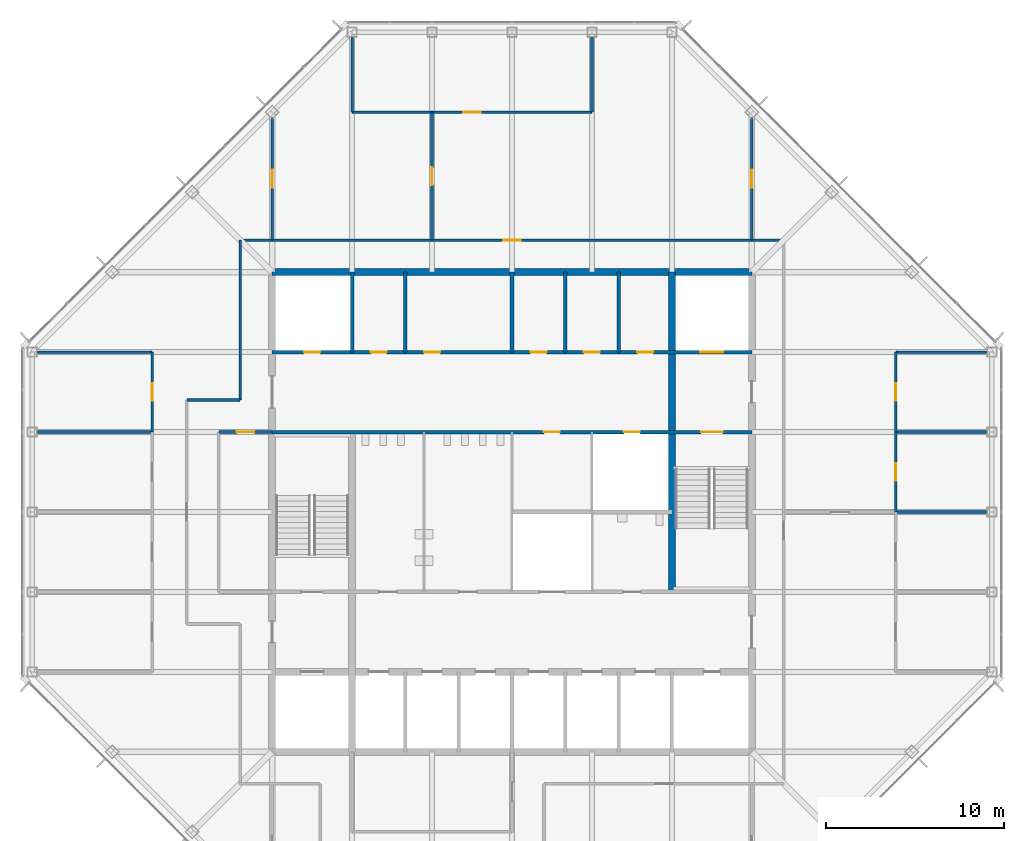
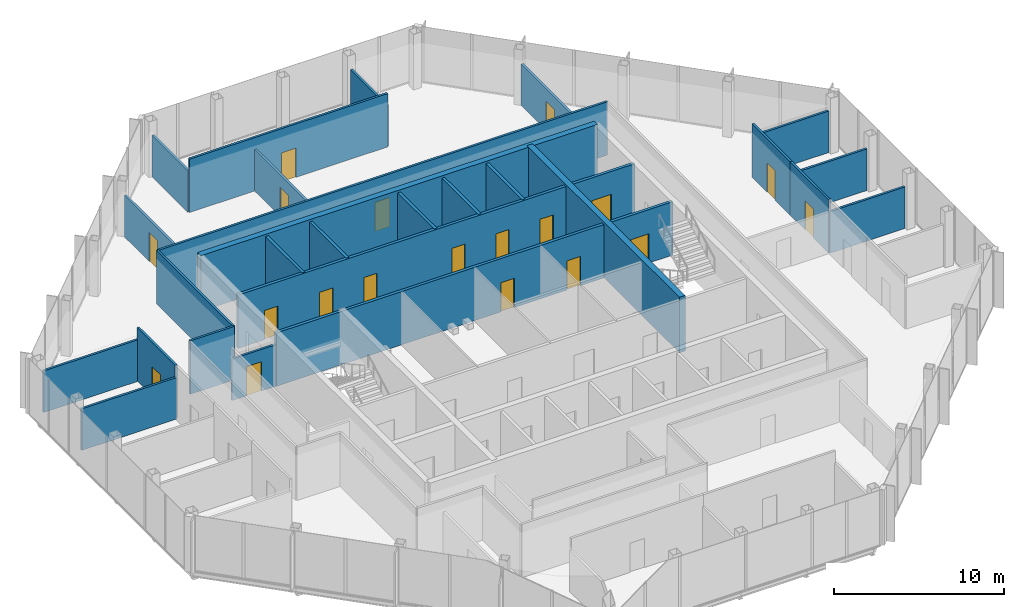
# One storey, part 11 of 14: 27 walls, 19 doors, 19 openings.
"""IFC4 building model written with IfcOpenShell, lengths in metres."""

import ifcopenshell
import ifcopenshell.guid

model = None  # the IFC model being written
_history = None  # IfcOwnerHistory: only IFC2X3 demands one
_inside = {}  # id of a spatial element -> (the spatial element, [elements in it])
_under = {}  # id of a project, library or spatial element -> (it, [spatial elements below it])
_declared = {}  # id of a project -> (the project, [libraries it declares])
_typed = {}  # id of a type object -> (the type object, [elements of that type])
_made_of = {}  # id of a material, layer set ... -> (it, [elements and type objects made of it])


def new_model(schema):
    """Start an empty IFC model of exactly this schema.

    Asked for "IFC4X3", IfcOpenShell would pick the latest addendum, in which some entities
    have other attributes; the version numbers below select the first issue.
    IFC2X3 requires an IfcOwnerHistory on every rooted entity: one is made here for all.
    """
    global model, _history
    if schema == "IFC4X3":
        model = ifcopenshell.file(schema_version=(4, 3, 0, 0))
    else:
        model = ifcopenshell.file(schema=schema)
    _inside.clear()
    _under.clear()
    _declared.clear()
    _typed.clear()
    _made_of.clear()
    _history = None
    if model.schema == "IFC2X3":
        org = make("IfcOrganization", Name="unknown")
        user = make(
            "IfcPersonAndOrganization",
            ThePerson=make("IfcPerson", FamilyName="unknown"),
            TheOrganization=org,
        )
        app = make(
            "IfcApplication",
            ApplicationDeveloper=org,
            Version="unknown",
            ApplicationFullName="unknown",
            ApplicationIdentifier="unknown",
        )
        _history = make(
            "IfcOwnerHistory",
            OwningUser=user,
            OwningApplication=app,
            ChangeAction="ADDED",
            CreationDate=0,
        )
    return model


def make(cls, **values):
    """One entity of the class cls with the attributes given. An attribute that is None is left unset."""
    return model.create_entity(
        cls, **{name: value for name, value in values.items() if value is not None}
    )


def rooted(cls, **values):
    """An entity with a GlobalId (a new one), such as an element, a storey or a relation."""
    return make(cls, GlobalId=ifcopenshell.guid.new(), OwnerHistory=_history, **values)


def si_unit(unit_type, name, prefix=None):
    """IfcSIUnit, for example si_unit("LENGTHUNIT", "METRE", prefix="MILLI")."""
    return make("IfcSIUnit", UnitType=unit_type, Prefix=prefix, Name=name)


def assignment(units):
    """IfcUnitAssignment: the units of a project."""
    return None if units is None else make("IfcUnitAssignment", Units=units)


def point(xyz):
    """IfcCartesianPoint."""
    return None if xyz is None else make("IfcCartesianPoint", Coordinates=xyz)


def direction(xyz):
    """IfcDirection."""
    return None if xyz is None else make("IfcDirection", DirectionRatios=xyz)


def frame(location, z_axis=None, x_axis=None):
    """IfcAxis2Placement3D, a coordinate frame: its origin and axes. An axis left out is left unset."""
    return make(
        "IfcAxis2Placement3D",
        Location=point(location),
        Axis=direction(z_axis),
        RefDirection=direction(x_axis),
    )


def frame_2d(location, x_axis=None):
    """IfcAxis2Placement2D, a coordinate frame in the plane: its origin and x axis."""
    return make(
        "IfcAxis2Placement2D", Location=point(location), RefDirection=direction(x_axis)
    )


def origin():
    """The frame at (0, 0, 0) with its axes left unset."""
    return frame((0.0, 0.0, 0.0))


def place(relative_to, where):
    """IfcLocalPlacement: puts the frame where relative to a parent placement (None: the world)."""
    return make(
        "IfcLocalPlacement", PlacementRelTo=relative_to, RelativePlacement=where
    )


def context(
    kind, dimensions, precision=None, world=None, true_north=None, identifier=None
):
    """IfcGeometricRepresentationContext, for example the 3D "Model" context."""
    return make(
        "IfcGeometricRepresentationContext",
        ContextIdentifier=identifier,
        ContextType=kind,
        CoordinateSpaceDimension=dimensions,
        Precision=precision,
        WorldCoordinateSystem=world,
        TrueNorth=true_north,
    )


def subcontext(parent, identifier, kind, view, scale=None):
    """IfcGeometricRepresentationSubContext, for example "Body" below "Model"."""
    return make(
        "IfcGeometricRepresentationSubContext",
        ContextIdentifier=identifier,
        ContextType=kind,
        ParentContext=parent,
        TargetScale=scale,
        TargetView=view,
    )


def project(units=None, contexts=None):
    """IfcProject with its units and contexts."""
    return rooted(
        "IfcProject",
        Name="project",
        RepresentationContexts=contexts,
        UnitsInContext=assignment(units),
    )


def spatial(cls, under=None, at=None, **own):
    """A site, building, storey or space (cls), placed at a placement, below another one or the project."""
    s = rooted(cls, ObjectPlacement=at, **own)
    if under is not None:
        _under.setdefault(under.id(), (under, []))[1].append(s)
    return s


def profile(cls, at=None, kind="AREA", **sizes):
    """A parametric profile (cls). Its sizes go by their IFC names, for example OverallWidth=200.0."""
    return make(cls, ProfileType=kind, Position=at, **sizes)


def rectangle(**sizes):
    """IfcRectangleProfileDef."""
    return profile("IfcRectangleProfileDef", **sizes)


def extrude(swept, where, along, depth):
    """IfcExtrudedAreaSolid: the profile swept, set in the frame where, extruded along a direction by depth."""
    return make(
        "IfcExtrudedAreaSolid",
        SweptArea=swept,
        Position=where,
        ExtrudedDirection=direction(along),
        Depth=depth,
    )


def shape(context_of_items, identifier, shape_type, items):
    """IfcShapeRepresentation: the items that make up one representation, for example the "Body"."""
    return make(
        "IfcShapeRepresentation",
        ContextOfItems=context_of_items,
        RepresentationIdentifier=identifier,
        RepresentationType=shape_type,
        Items=items,
    )


def material(Name=None, Category=None):
    """IfcMaterial."""
    return make("IfcMaterial", Name=Name, Category=Category)


def layer(
    of_material, thickness, ventilated=None, Name=None, Category=None, Priority=None
):
    """IfcMaterialLayer: one layer of a wall or slab, of a material (None: an air gap)."""
    return make(
        "IfcMaterialLayer",
        Material=of_material,
        LayerThickness=thickness,
        IsVentilated=ventilated,
        Name=Name,
        Category=Category,
        Priority=Priority,
    )


def layer_set(layers, Name=None):
    """IfcMaterialLayerSet."""
    return make("IfcMaterialLayerSet", MaterialLayers=layers, LayerSetName=Name)


def made_of(thing, what):
    """Note that an element or type object is made of a material, layer set ...; save() writes the relation."""
    if what is not None:
        _made_of.setdefault(what.id(), (what, []))[1].append(thing)
    return thing


def type_object(cls, material=None, **own):
    """A type object (cls), such as IfcWallType, which elements share."""
    return made_of(rooted(cls, **own), material)


def element(
    cls,
    number,
    at=None,
    inside=None,
    cuts=None,
    type_object=None,
    material=None,
    context=None,
    identifier="Body",
    shape_type=None,
    held_by="IfcProductDefinitionShape",
    body=None,
    shapes=None,
    **own,
):
    """One element of the class cls, such as IfcWall. Its Tag is "e" and its number.

    at: its placement. inside: the storey or other place that contains it. cuts: it is an
    opening in that element (IfcRelVoidsElement). A single representation is given by context,
    identifier, shape_type and body (its items); several are given by shapes. held_by: the class
    of the entity that holds the representations. save() writes the other relations.
    """
    e = rooted(cls, Tag="e%d" % number, ObjectPlacement=at, **own)
    if body is not None:
        shapes = [shape(context, identifier, shape_type, body)]
    if shapes is not None:
        e.Representation = make(held_by, Representations=shapes)
    if inside is not None:
        _inside.setdefault(inside.id(), (inside, []))[1].append(e)
    if cuts is not None:
        rooted(
            "IfcRelVoidsElement", RelatingBuildingElement=cuts, RelatedOpeningElement=e
        )
    if type_object is not None:
        _typed.setdefault(type_object.id(), (type_object, []))[1].append(e)
    return made_of(e, material)


def fill(opening, filler):
    """IfcRelFillsElement: the door or window that sits in an opening."""
    return rooted(
        "IfcRelFillsElement",
        RelatingOpeningElement=opening,
        RelatedBuildingElement=filler,
    )


def aggregate(whole, parts):
    """IfcRelAggregates: a whole, such as a stair, and the parts it consists of."""
    return rooted("IfcRelAggregates", RelatingObject=whole, RelatedObjects=parts)


def save(model, path):
    """Write the relations noted so far, then the file.

    IfcRelAggregates (storeys below a building ...), IfcRelContainedInSpatialStructure (elements
    in a storey), IfcRelDefinesByType, IfcRelAssociatesMaterial and IfcRelDeclares: one each for
    every whole, place, type object, material and project.
    """
    for whole, parts in _under.values():
        aggregate(whole, parts)
    for where, things in _inside.values():
        rooted(
            "IfcRelContainedInSpatialStructure",
            RelatedElements=things,
            RelatingStructure=where,
        )
    for kind, things in _typed.values():
        rooted("IfcRelDefinesByType", RelatedObjects=things, RelatingType=kind)
    for what, things in _made_of.values():
        rooted("IfcRelAssociatesMaterial", RelatedObjects=things, RelatingMaterial=what)
    for by, libraries in _declared.values():
        rooted("IfcRelDeclares", RelatingContext=by, RelatedDefinitions=libraries)
    model.write(path)


model = new_model("IFC4")

# Units and contexts
model_context = context("Model", 3, precision=1e-05, world=origin(), true_north=direction((0.0, 1.0)))
body_context = subcontext(model_context, "Body", "Model", "MODEL_VIEW")
ifc_project = project(units=[si_unit("LENGTHUNIT", "METRE"), si_unit("AREAUNIT", "SQUARE_METRE"), si_unit("VOLUMEUNIT", "CUBIC_METRE"), si_unit("PLANEANGLEUNIT", "RADIAN"), si_unit("MASSUNIT", "GRAM", prefix="KILO")], contexts=[model_context])

# Site, building, storey
site_placement = place(None, origin())
site = spatial("IfcSite", under=ifc_project, at=site_placement, CompositionType="ELEMENT")
building_placement = place(site_placement, origin())
building = spatial("IfcBuilding", under=site, at=building_placement, Name="Corais Broadcast Tower", CompositionType="ELEMENT")
storey_placement = place(building_placement, frame((0.0, 0.0, 298.60009765625)))
storey = spatial("IfcBuildingStorey", under=building, at=storey_placement, Name="L70", CompositionType="ELEMENT", Elevation=298.60009765625)

# Wall
ifc_material_1 = material(Name="Concrete blockwork class A, grouted, two-hour", Category="masonry")
ifc_layer_1 = layer(ifc_material_1, 0.199951171875)
ifc_layer_set_1 = layer_set([ifc_layer_1], Name="Concrete blockwork class A, grouted, two-hour")
wall_type_1 = type_object("IfcWallType", Name="Core lobby wall 200", PredefinedType="SOLIDWALL", material=ifc_layer_set_1)
wall_1_placement = place(storey_placement, frame((18.0, 36.0, 0.0), z_axis=(0.0, 0.0, 1.0), x_axis=(0.0, 1.0, 0.0)))
element("IfcWall", 1, at=wall_1_placement, inside=storey, type_object=wall_type_1, Name="CL3 core shaft wall X18B L70", PredefinedType="SOLIDWALL", context=body_context, shape_type="SweptSolid", body=[
    extrude(rectangle(XDim=4.5, YDim=0.199951171875, at=frame_2d((2.25, 0.0))), origin(), (0.0, 0.0, 1.0), 3.83984375),
])

# Wall, openings, doors
wall_2_placement = place(storey_placement, frame((13.5, 31.5, 0.0), z_axis=(0.0, 0.0, 1.0), x_axis=(1.0, 0.0, 0.0)))
wall_2 = element("IfcWall", 2, at=wall_2_placement, inside=storey, type_object=wall_type_1, Name="CL3 core lobby wall Y315 L70", PredefinedType="SOLIDWALL", context=body_context, shape_type="SweptSolid", body=[
    extrude(rectangle(XDim=27.0, YDim=0.199951171875, at=frame_2d((13.5, 0.0))), origin(), (0.0, 0.0, 1.0), 3.83984375),
])
opening_1_placement = place(wall_2_placement, frame((24.14990234375, 0.0, 0.0)))
opening_1 = element("IfcOpeningElement", 3, at=opening_1_placement, cuts=wall_2, Name="Opening FD1", PredefinedType="OPENING", context=body_context, shape_type="SweptSolid", body=[
    extrude(rectangle(XDim=1.199951171875, YDim=2.10009765625, at=frame_2d((0.60009765625, 1.050048828125))), frame((0.0, 0.10986328125, 0.0), z_axis=(0.0, -1.0, 0.0), x_axis=(1.0, 0.0, 0.0)), (0.0, 0.0, 1.0), 0.219970703125),
])
opening_2_placement = place(wall_2_placement, frame((15.300048828125, 0.0, 0.0)))
opening_2 = element("IfcOpeningElement", 4, at=opening_2_placement, cuts=wall_2, Name="Opening RD1", PredefinedType="OPENING", context=body_context, shape_type="SweptSolid", body=[
    extrude(rectangle(XDim=0.89990234375, YDim=2.10009765625, at=frame_2d((0.449951171875, 1.050048828125))), frame((0.0, 0.10986328125, 0.0), z_axis=(0.0, -1.0, 0.0), x_axis=(1.0, 0.0, 0.0)), (0.0, 0.0, 1.0), 0.219970703125),
])
opening_3_placement = place(wall_2_placement, frame((19.800048828125, 0.0, 0.0)))
opening_3 = element("IfcOpeningElement", 5, at=opening_3_placement, cuts=wall_2, Name="Opening RD1", PredefinedType="OPENING", context=body_context, shape_type="SweptSolid", body=[
    extrude(rectangle(XDim=0.89990234375, YDim=2.10009765625, at=frame_2d((0.449951171875, 1.050048828125))), frame((0.0, 0.10986328125, 0.0), z_axis=(0.0, -1.0, 0.0), x_axis=(1.0, 0.0, 0.0)), (0.0, 0.0, 1.0), 0.219970703125),
])
ifc_material_2 = material(Name="Steel fire door", Category="steel")
door_type_1 = type_object("IfcDoorType", Name="Fire door 1200x2100", OperationType="SINGLE_SWING_LEFT", PredefinedType="DOOR", material=ifc_material_2)
door_1_placement = place(opening_1_placement, origin())
door_1 = element("IfcDoor", 6, at=door_1_placement, inside=storey, type_object=door_type_1, Name="FD1 stair B door L70", OperationType="SINGLE_SWING_RIGHT", OverallHeight=2.10009765625, OverallWidth=1.199951171875, PredefinedType="DOOR", context=body_context, shape_type="SweptSolid", body=[
    extrude(rectangle(XDim=1.199951171875, YDim=2.10009765625, at=frame_2d((0.60009765625, 1.050048828125))), frame((0.0, 0.02490234375, 0.0), z_axis=(0.0, -1.0, 0.0), x_axis=(1.0, 0.0, 0.0)), (0.0, 0.0, 1.0), 0.050048828125),
])
fill(opening_1, door_1)
ifc_material_3 = material(Name="Steel fire door", Category="steel")
door_type_2 = type_object("IfcDoorType", Name="Riser door 900x2100", OperationType="SINGLE_SWING_LEFT", PredefinedType="DOOR", material=ifc_material_3)
door_2_placement = place(opening_2_placement, origin())
door_2 = element("IfcDoor", 7, at=door_2_placement, inside=storey, type_object=door_type_2, Name="RD1 cleaner's store door L70", OperationType="SINGLE_SWING_RIGHT", OverallHeight=2.10009765625, OverallWidth=0.89990234375, PredefinedType="DOOR", context=body_context, shape_type="SweptSolid", body=[
    extrude(rectangle(XDim=0.89990234375, YDim=2.10009765625, at=frame_2d((0.449951171875, 1.050048828125))), frame((0.0, 0.02490234375, 0.0), z_axis=(0.0, -1.0, 0.0), x_axis=(1.0, 0.0, 0.0)), (0.0, 0.0, 1.0), 0.050048828125),
])
fill(opening_2, door_2)
door_3_placement = place(opening_3_placement, origin())
door_3 = element("IfcDoor", 8, at=door_3_placement, inside=storey, type_object=door_type_2, Name="RD1 riser door L70", OperationType="SINGLE_SWING_RIGHT", OverallHeight=2.10009765625, OverallWidth=0.89990234375, PredefinedType="DOOR", context=body_context, shape_type="SweptSolid", body=[
    extrude(rectangle(XDim=0.89990234375, YDim=2.10009765625, at=frame_2d((0.449951171875, 1.050048828125))), frame((0.0, 0.02490234375, 0.0), z_axis=(0.0, -1.0, 0.0), x_axis=(1.0, 0.0, 0.0)), (0.0, 0.0, 1.0), 0.050048828125),
])
fill(opening_3, door_3)

# Walls
ifc_material_4 = material(Name="Concrete C50/60", Category="concrete")
ifc_layer_2 = layer(ifc_material_4, 0.39990234375)
ifc_layer_set_2 = layer_set([ifc_layer_2], Name="Concrete C50/60")
wall_type_2 = type_object("IfcWallType", Name="Core wall 400", PredefinedType="SHEAR", material=ifc_layer_set_2)
wall_3_placement = place(storey_placement, frame((40.5, 40.5, 0.0), z_axis=(0.0, 0.0, 1.0), x_axis=(-1.0, 0.0, 0.0)))
element("IfcWall", 9, at=wall_3_placement, inside=storey, type_object=wall_type_2, Name="CR400 core wall N L70", PredefinedType="SHEAR", context=body_context, shape_type="SweptSolid", body=[
    extrude(rectangle(XDim=27.0, YDim=0.39990234375, at=frame_2d((13.5, 0.0))), origin(), (0.0, 0.0, 1.0), 4.0),
])
wall_4_placement = place(storey_placement, frame((36.0, 22.5, 0.0), z_axis=(0.0, 0.0, 1.0), x_axis=(0.0, 1.0, 0.0)))
element("IfcWall", 10, at=wall_4_placement, inside=storey, type_object=wall_type_2, Name="CR400 core wall X36B L70", PredefinedType="SHEAR", context=body_context, shape_type="SweptSolid", body=[
    extrude(rectangle(XDim=18.0, YDim=0.39990234375, at=frame_2d((9.0, 0.0))), origin(), (0.0, 0.0, 1.0), 4.0),
])

# Wall, openings, doors
ifc_material_5 = material(Name="Concrete blockwork class A, grouted, four-hour", Category="masonry")
ifc_layer_3 = layer(ifc_material_5, 0.199951171875)
ifc_layer_set_3 = layer_set([ifc_layer_3], Name="Concrete blockwork class A, grouted, four-hour")
wall_type_3 = type_object("IfcWallType", Name="Emergency lift shaft wall 200", PredefinedType="SOLIDWALL", material=ifc_layer_set_3)
wall_5_placement = place(storey_placement, frame((13.5, 36.0, 0.0), z_axis=(0.0, 0.0, 1.0), x_axis=(1.0, 0.0, 0.0)))
wall_5 = element("IfcWall", 11, at=wall_5_placement, inside=storey, type_object=wall_type_3, Name="LS3 core lobby wall Y36 L70", PredefinedType="SOLIDWALL", context=body_context, shape_type="SweptSolid", body=[
    extrude(rectangle(XDim=27.0, YDim=0.199951171875, at=frame_2d((13.5, 0.0))), origin(), (0.0, 0.0, 1.0), 3.83984375),
])
opening_4_placement = place(wall_5_placement, frame((1.800048828125, 0.0, 0.0)))
opening_4 = element("IfcOpeningElement", 12, at=opening_4_placement, cuts=wall_5, Name="Opening RD1", PredefinedType="OPENING", context=body_context, shape_type="SweptSolid", body=[
    extrude(rectangle(XDim=0.89990234375, YDim=2.10009765625, at=frame_2d((0.449951171875, 1.050048828125))), frame((0.0, 0.10986328125, 0.0), z_axis=(0.0, -1.0, 0.0), x_axis=(1.0, 0.0, 0.0)), (0.0, 0.0, 1.0), 0.219970703125),
])
opening_5_placement = place(wall_5_placement, frame((5.550048828125, 0.0, 0.0)))
opening_5 = element("IfcOpeningElement", 13, at=opening_5_placement, cuts=wall_5, Name="Opening RD1", PredefinedType="OPENING", context=body_context, shape_type="SweptSolid", body=[
    extrude(rectangle(XDim=0.89990234375, YDim=2.10009765625, at=frame_2d((0.449951171875, 1.050048828125))), frame((0.0, 0.10986328125, 0.0), z_axis=(0.0, -1.0, 0.0), x_axis=(1.0, 0.0, 0.0)), (0.0, 0.0, 1.0), 0.219970703125),
])
opening_6_placement = place(wall_5_placement, frame((8.550048828125, 0.0, 0.0)))
opening_6 = element("IfcOpeningElement", 14, at=opening_6_placement, cuts=wall_5, Name="Opening RD1", PredefinedType="OPENING", context=body_context, shape_type="SweptSolid", body=[
    extrude(rectangle(XDim=0.89990234375, YDim=2.10009765625, at=frame_2d((0.449951171875, 1.050048828125))), frame((0.0, 0.10986328125, 0.0), z_axis=(0.0, -1.0, 0.0), x_axis=(1.0, 0.0, 0.0)), (0.0, 0.0, 1.0), 0.219970703125),
])
opening_7_placement = place(wall_5_placement, frame((14.550048828125, 0.0, 0.0)))
opening_7 = element("IfcOpeningElement", 15, at=opening_7_placement, cuts=wall_5, Name="Opening RD1", PredefinedType="OPENING", context=body_context, shape_type="SweptSolid", body=[
    extrude(rectangle(XDim=0.89990234375, YDim=2.10009765625, at=frame_2d((0.449951171875, 1.050048828125))), frame((0.0, 0.10986328125, 0.0), z_axis=(0.0, -1.0, 0.0), x_axis=(1.0, 0.0, 0.0)), (0.0, 0.0, 1.0), 0.219970703125),
])
opening_8_placement = place(wall_5_placement, frame((17.550048828125, 0.0, 0.0)))
opening_8 = element("IfcOpeningElement", 16, at=opening_8_placement, cuts=wall_5, Name="Opening RD1", PredefinedType="OPENING", context=body_context, shape_type="SweptSolid", body=[
    extrude(rectangle(XDim=0.89990234375, YDim=2.10009765625, at=frame_2d((0.449951171875, 1.050048828125))), frame((0.0, 0.10986328125, 0.0), z_axis=(0.0, -1.0, 0.0), x_axis=(1.0, 0.0, 0.0)), (0.0, 0.0, 1.0), 0.219970703125),
])
opening_9_placement = place(wall_5_placement, frame((20.550048828125, 0.0, 0.0)))
opening_9 = element("IfcOpeningElement", 17, at=opening_9_placement, cuts=wall_5, Name="Opening RD1", PredefinedType="OPENING", context=body_context, shape_type="SweptSolid", body=[
    extrude(rectangle(XDim=0.89990234375, YDim=2.10009765625, at=frame_2d((0.449951171875, 1.050048828125))), frame((0.0, 0.10986328125, 0.0), z_axis=(0.0, -1.0, 0.0), x_axis=(1.0, 0.0, 0.0)), (0.0, 0.0, 1.0), 0.219970703125),
])
opening_10_placement = place(wall_5_placement, frame((24.10009765625, 0.0, 0.0)))
opening_10 = element("IfcOpeningElement", 18, at=opening_10_placement, cuts=wall_5, Name="Opening LD2", PredefinedType="OPENING", context=body_context, shape_type="SweptSolid", body=[
    extrude(rectangle(XDim=1.300048828125, YDim=2.199951171875, at=frame_2d((0.64990234375, 1.10009765625))), frame((0.0, 0.10986328125, 0.0), z_axis=(0.0, -1.0, 0.0), x_axis=(1.0, 0.0, 0.0)), (0.0, 0.0, 1.0), 0.219970703125),
])
ifc_material_6 = material(Name="Stainless steel lift door", Category="steel")
door_type_3 = type_object("IfcDoorType", Name="Lift landing door 1300x2200", OperationType="SLIDING_TO_LEFT", PredefinedType="DOOR", material=ifc_material_6)
door_4_placement = place(opening_10_placement, origin())
door_4 = element("IfcDoor", 19, at=door_4_placement, inside=storey, type_object=door_type_3, Name="LD2 FL2 landing door L70", OperationType="SLIDING_TO_LEFT", OverallHeight=2.199951171875, OverallWidth=1.300048828125, PredefinedType="DOOR", context=body_context, shape_type="SweptSolid", body=[
    extrude(rectangle(XDim=1.300048828125, YDim=2.199951171875, at=frame_2d((0.64990234375, 1.10009765625))), frame((0.0, 0.02490234375, 0.0), z_axis=(0.0, -1.0, 0.0), x_axis=(1.0, 0.0, 0.0)), (0.0, 0.0, 1.0), 0.050048828125),
])
fill(opening_10, door_4)
door_5_placement = place(opening_4_placement, origin())
door_5 = element("IfcDoor", 20, at=door_5_placement, inside=storey, type_object=door_type_2, Name="RD1 riser door L70", OperationType="SINGLE_SWING_LEFT", OverallHeight=2.10009765625, OverallWidth=0.89990234375, PredefinedType="DOOR", context=body_context, shape_type="SweptSolid", body=[
    extrude(rectangle(XDim=0.89990234375, YDim=2.10009765625, at=frame_2d((0.449951171875, 1.050048828125))), frame((0.0, 0.02490234375, 0.0), z_axis=(0.0, -1.0, 0.0), x_axis=(1.0, 0.0, 0.0)), (0.0, 0.0, 1.0), 0.050048828125),
])
fill(opening_4, door_5)
door_6_placement = place(opening_5_placement, origin())
door_6 = element("IfcDoor", 21, at=door_6_placement, inside=storey, type_object=door_type_2, Name="RD1 print room door L70", OperationType="SINGLE_SWING_LEFT", OverallHeight=2.10009765625, OverallWidth=0.89990234375, PredefinedType="DOOR", context=body_context, shape_type="SweptSolid", body=[
    extrude(rectangle(XDim=0.89990234375, YDim=2.10009765625, at=frame_2d((0.449951171875, 1.050048828125))), frame((0.0, 0.02490234375, 0.0), z_axis=(0.0, -1.0, 0.0), x_axis=(1.0, 0.0, 0.0)), (0.0, 0.0, 1.0), 0.050048828125),
])
fill(opening_5, door_6)
door_7_placement = place(opening_6_placement, origin())
door_7 = element("IfcDoor", 22, at=door_7_placement, inside=storey, type_object=door_type_2, Name="RD1 wellness room door L70", OperationType="SINGLE_SWING_LEFT", OverallHeight=2.10009765625, OverallWidth=0.89990234375, PredefinedType="DOOR", context=body_context, shape_type="SweptSolid", body=[
    extrude(rectangle(XDim=0.89990234375, YDim=2.10009765625, at=frame_2d((0.449951171875, 1.050048828125))), frame((0.0, 0.02490234375, 0.0), z_axis=(0.0, -1.0, 0.0), x_axis=(1.0, 0.0, 0.0)), (0.0, 0.0, 1.0), 0.050048828125),
])
fill(opening_6, door_7)
door_8_placement = place(opening_7_placement, origin())
door_8 = element("IfcDoor", 23, at=door_8_placement, inside=storey, type_object=door_type_2, Name="RD1 first aid room door L70", OperationType="SINGLE_SWING_RIGHT", OverallHeight=2.10009765625, OverallWidth=0.89990234375, PredefinedType="DOOR", context=body_context, shape_type="SweptSolid", body=[
    extrude(rectangle(XDim=0.89990234375, YDim=2.10009765625, at=frame_2d((0.449951171875, 1.050048828125))), frame((0.0, 0.02490234375, 0.0), z_axis=(0.0, -1.0, 0.0), x_axis=(1.0, 0.0, 0.0)), (0.0, 0.0, 1.0), 0.050048828125),
])
fill(opening_7, door_8)
door_9_placement = place(opening_8_placement, origin())
door_9 = element("IfcDoor", 24, at=door_9_placement, inside=storey, type_object=door_type_2, Name="RD1 stationery store door L70", OperationType="SINGLE_SWING_RIGHT", OverallHeight=2.10009765625, OverallWidth=0.89990234375, PredefinedType="DOOR", context=body_context, shape_type="SweptSolid", body=[
    extrude(rectangle(XDim=0.89990234375, YDim=2.10009765625, at=frame_2d((0.449951171875, 1.050048828125))), frame((0.0, 0.02490234375, 0.0), z_axis=(0.0, -1.0, 0.0), x_axis=(1.0, 0.0, 0.0)), (0.0, 0.0, 1.0), 0.050048828125),
])
fill(opening_8, door_9)
door_10_placement = place(opening_9_placement, origin())
door_10 = element("IfcDoor", 25, at=door_10_placement, inside=storey, type_object=door_type_2, Name="RD1 vending room door L70", OperationType="SINGLE_SWING_RIGHT", OverallHeight=2.10009765625, OverallWidth=0.89990234375, PredefinedType="DOOR", context=body_context, shape_type="SweptSolid", body=[
    extrude(rectangle(XDim=0.89990234375, YDim=2.10009765625, at=frame_2d((0.449951171875, 1.050048828125))), frame((0.0, 0.02490234375, 0.0), z_axis=(0.0, -1.0, 0.0), x_axis=(1.0, 0.0, 0.0)), (0.0, 0.0, 1.0), 0.050048828125),
])
fill(opening_9, door_10)

# Wall, opening, door
ifc_material_7 = material(Name="Gypsum board on steel studs", Category="steel")
ifc_layer_4 = layer(ifc_material_7, 0.14990234375)
ifc_layer_set_4 = layer_set([ifc_layer_4], Name="Gypsum board on steel studs")
wall_type_4 = type_object("IfcWallType", Name="Partition 150", PredefinedType="PARTITIONING", material=ifc_layer_set_4)
wall_6_placement = place(storey_placement, frame((42.300048828125, 42.300048828125, 0.0), z_axis=(0.0, 0.0, 1.0), x_axis=(-1.0, 0.0, 0.0)))
wall_6 = element("IfcWall", 26, at=wall_6_placement, inside=storey, type_object=wall_type_4, Name="IW3 corridor wall L70", PredefinedType="PARTITIONING", context=body_context, shape_type="SweptSolid", body=[
    extrude(rectangle(XDim=30.60009765625, YDim=0.14990234375, at=frame_2d((15.300048828125, 0.0))), origin(), (0.0, 0.0, 1.0), 3.83984375),
])
opening_11_placement = place(wall_6_placement, frame((14.800048828125, 0.0, 0.0)))
opening_11 = element("IfcOpeningElement", 27, at=opening_11_placement, cuts=wall_6, Name="Opening D1", PredefinedType="OPENING", context=body_context, shape_type="SweptSolid", body=[
    extrude(rectangle(XDim=1.0, YDim=2.10009765625, at=frame_2d((0.5, 1.050048828125))), frame((0.0, 0.0849609375, 0.0), z_axis=(0.0, -1.0, 0.0), x_axis=(1.0, 0.0, 0.0)), (0.0, 0.0, 1.0), 0.169921875),
])
ifc_material_8 = material(Name="Timber door", Category="wood")
door_type_4 = type_object("IfcDoorType", Name="Single door 1000x2100", OperationType="SINGLE_SWING_LEFT", PredefinedType="DOOR", material=ifc_material_8)
door_11_placement = place(opening_11_placement, origin())
door_11 = element("IfcDoor", 28, at=door_11_placement, inside=storey, type_object=door_type_4, Name="D1 workplace door L70", OperationType="SINGLE_SWING_LEFT", OverallHeight=2.10009765625, OverallWidth=1.0, PredefinedType="DOOR", context=body_context, shape_type="SweptSolid", body=[
    extrude(rectangle(XDim=1.0, YDim=2.10009765625, at=frame_2d((0.5, 1.050048828125))), frame((0.0, 0.02490234375, 0.0), z_axis=(0.0, -1.0, 0.0), x_axis=(1.0, 0.0, 0.0)), (0.0, 0.0, 1.0), 0.050048828125),
])
fill(opening_11, door_11)

# Walls
wall_7_placement = place(storey_placement, frame((11.699951171875, 42.300048828125, 0.0), z_axis=(0.0, 0.0, 1.0), x_axis=(0.0, -1.0, 0.0)))
element("IfcWall", 29, at=wall_7_placement, inside=storey, type_object=wall_type_4, Name="IW3 corridor wall L70", PredefinedType="PARTITIONING", context=body_context, shape_type="SweptSolid", body=[
    extrude(rectangle(XDim=9.0, YDim=0.14990234375, at=frame_2d((4.5, 0.0))), origin(), (0.0, 0.0, 1.0), 3.83984375),
])
wall_8_placement = place(storey_placement, frame((11.699951171875, 33.300048828125, 0.0), z_axis=(0.0, 0.0, 1.0), x_axis=(-1.0, 0.0, 0.0)))
element("IfcWall", 30, at=wall_8_placement, inside=storey, type_object=wall_type_4, Name="IW3 corridor wall L70", PredefinedType="PARTITIONING", context=body_context, shape_type="SweptSolid", body=[
    extrude(rectangle(XDim=3.0, YDim=0.14990234375, at=frame_2d((1.5, 0.0))), origin(), (0.0, 0.0, 1.0), 3.83984375),
])
for number, where, z_axis, x_axis, name in (
    (31, (53.715087890625, 27.0, 0.0), (0.0, 0.0, 1.0), (-1.0, 0.0, 0.0), "IW3 partition L70"),
    (32, (53.715087890625, 31.5, 0.0), (0.0, 0.0, 1.0), (-1.0, 0.0, 0.0), "IW3 partition L70"),
):
    element("IfcWall", number, at=place(storey_placement, frame(where, z_axis=z_axis, x_axis=x_axis)), inside=storey, type_object=wall_type_4, Name=name, PredefinedType="PARTITIONING", context=body_context, shape_type="SweptSolid", body=[
        extrude(rectangle(XDim=5.114990234375, YDim=0.14990234375, at=frame_2d((2.5576171875, 0.0))), origin(), (0.0, 0.0, 1.0), 2.989013671875),
    ])

# Wall, opening, door
wall_9_placement = place(storey_placement, frame((48.60009765625, 31.5, 0.0), z_axis=(0.0, 0.0, 1.0), x_axis=(0.0, -1.0, 0.0)))
wall_9 = element("IfcWall", 33, at=wall_9_placement, inside=storey, type_object=wall_type_4, Name="IW3 partition L70", PredefinedType="PARTITIONING", context=body_context, shape_type="SweptSolid", body=[
    extrude(rectangle(XDim=4.5, YDim=0.14990234375, at=frame_2d((2.25, 0.0))), origin(), (0.0, 0.0, 1.0), 3.83984375),
])
opening_12_placement = place(wall_9_placement, frame((1.75, 0.0, 0.0)))
opening_12 = element("IfcOpeningElement", 34, at=opening_12_placement, cuts=wall_9, Name="Opening D1", PredefinedType="OPENING", context=body_context, shape_type="SweptSolid", body=[
    extrude(rectangle(XDim=1.0, YDim=2.10009765625, at=frame_2d((0.5, 1.050048828125))), frame((0.0, 0.0849609375, 0.0), z_axis=(0.0, -1.0, 0.0), x_axis=(1.0, 0.0, 0.0)), (0.0, 0.0, 1.0), 0.169921875),
])
door_12_placement = place(opening_12_placement, origin())
door_12 = element("IfcDoor", 35, at=door_12_placement, inside=storey, type_object=door_type_4, Name="D1 Executive office door", OperationType="SINGLE_SWING_LEFT", OverallHeight=2.10009765625, OverallWidth=1.0, PredefinedType="DOOR", context=body_context, shape_type="SweptSolid", body=[
    extrude(rectangle(XDim=1.0, YDim=2.10009765625, at=frame_2d((0.5, 1.050048828125))), frame((0.0, 0.02490234375, 0.0), z_axis=(0.0, -1.0, 0.0), x_axis=(1.0, 0.0, 0.0)), (0.0, 0.0, 1.0), 0.050048828125),
])
fill(opening_12, door_12)

# Wall
wall_10_placement = place(storey_placement, frame((53.715087890625, 36.0, 0.0), z_axis=(0.0, 0.0, 1.0), x_axis=(-1.0, 0.0, 0.0)))
element("IfcWall", 36, at=wall_10_placement, inside=storey, type_object=wall_type_4, Name="IW3 partition L70", PredefinedType="PARTITIONING", context=body_context, shape_type="SweptSolid", body=[
    extrude(rectangle(XDim=5.114990234375, YDim=0.14990234375, at=frame_2d((2.5576171875, 0.0))), origin(), (0.0, 0.0, 1.0), 2.989013671875),
])

# Wall, opening, door
wall_11_placement = place(storey_placement, frame((48.60009765625, 36.0, 0.0), z_axis=(0.0, 0.0, 1.0), x_axis=(0.0, -1.0, 0.0)))
wall_11 = element("IfcWall", 37, at=wall_11_placement, inside=storey, type_object=wall_type_4, Name="IW3 partition L70", PredefinedType="PARTITIONING", context=body_context, shape_type="SweptSolid", body=[
    extrude(rectangle(XDim=4.5, YDim=0.14990234375, at=frame_2d((2.25, 0.0))), origin(), (0.0, 0.0, 1.0), 3.83984375),
])
opening_13_placement = place(wall_11_placement, frame((1.75, 0.0, 0.0)))
opening_13 = element("IfcOpeningElement", 38, at=opening_13_placement, cuts=wall_11, Name="Opening D1", PredefinedType="OPENING", context=body_context, shape_type="SweptSolid", body=[
    extrude(rectangle(XDim=1.0, YDim=2.10009765625, at=frame_2d((0.5, 1.050048828125))), frame((0.0, 0.0849609375, 0.0), z_axis=(0.0, -1.0, 0.0), x_axis=(1.0, 0.0, 0.0)), (0.0, 0.0, 1.0), 0.169921875),
])
door_13_placement = place(opening_13_placement, origin())
door_13 = element("IfcDoor", 39, at=door_13_placement, inside=storey, type_object=door_type_4, Name="D1 Executive office door", OperationType="SINGLE_SWING_LEFT", OverallHeight=2.10009765625, OverallWidth=1.0, PredefinedType="DOOR", context=body_context, shape_type="SweptSolid", body=[
    extrude(rectangle(XDim=1.0, YDim=2.10009765625, at=frame_2d((0.5, 1.050048828125))), frame((0.0, 0.02490234375, 0.0), z_axis=(0.0, -1.0, 0.0), x_axis=(1.0, 0.0, 0.0)), (0.0, 0.0, 1.0), 0.050048828125),
])
fill(opening_13, door_13)

wall_12_placement = place(storey_placement, frame((18.0, 49.5, 0.0), z_axis=(0.0, 0.0, 1.0), x_axis=(1.0, 0.0, 0.0)))
wall_12 = element("IfcWall", 40, at=wall_12_placement, inside=storey, type_object=wall_type_4, Name="IW3 partition L70", PredefinedType="PARTITIONING", context=body_context, shape_type="SweptSolid", body=[
    extrude(rectangle(XDim=13.5, YDim=0.14990234375, at=frame_2d((6.75, 0.0))), origin(), (0.0, 0.0, 1.0), 3.83984375),
])
opening_14_placement = place(wall_12_placement, frame((6.25, 0.0, 0.0)))
opening_14 = element("IfcOpeningElement", 41, at=opening_14_placement, cuts=wall_12, Name="Opening D1", PredefinedType="OPENING", context=body_context, shape_type="SweptSolid", body=[
    extrude(rectangle(XDim=1.0, YDim=2.10009765625, at=frame_2d((0.5, 1.050048828125))), frame((0.0, 0.0849609375, 0.0), z_axis=(0.0, -1.0, 0.0), x_axis=(1.0, 0.0, 0.0)), (0.0, 0.0, 1.0), 0.169921875),
])
door_14_placement = place(opening_14_placement, origin())
door_14 = element("IfcDoor", 42, at=door_14_placement, inside=storey, type_object=door_type_4, Name="D1 Committee meeting room door", OperationType="SINGLE_SWING_LEFT", OverallHeight=2.10009765625, OverallWidth=1.0, PredefinedType="DOOR", context=body_context, shape_type="SweptSolid", body=[
    extrude(rectangle(XDim=1.0, YDim=2.10009765625, at=frame_2d((0.5, 1.050048828125))), frame((0.0, 0.02490234375, 0.0), z_axis=(0.0, -1.0, 0.0), x_axis=(1.0, 0.0, 0.0)), (0.0, 0.0, 1.0), 0.050048828125),
])
fill(opening_14, door_14)

# Walls
for number, where, z_axis, x_axis, name in (
    (43, (31.5, 49.5, 0.0), (0.0, 0.0, 1.0), (0.0, 1.0, 0.0), "IW3 partition L70"),
    (44, (18.0, 53.715087890625, 0.0), (0.0, 0.0, 1.0), (0.0, -1.0, 0.0), "IW3 partition L70"),
):
    element("IfcWall", number, at=place(storey_placement, frame(where, z_axis=z_axis, x_axis=x_axis)), inside=storey, type_object=wall_type_4, Name=name, PredefinedType="PARTITIONING", context=body_context, shape_type="SweptSolid", body=[
        extrude(rectangle(XDim=4.215087890625, YDim=0.14990234375, at=frame_2d((2.107421875, 0.0))), origin(), (0.0, 0.0, 1.0), 2.989013671875),
    ])

# Wall, opening, door
wall_13_placement = place(storey_placement, frame((13.5, 31.5, 0.0), z_axis=(0.0, 0.0, 1.0), x_axis=(-1.0, 0.0, 0.0)))
wall_13 = element("IfcWall", 45, at=wall_13_placement, inside=storey, type_object=wall_type_4, Name="IW3 partition L70", PredefinedType="PARTITIONING", context=body_context, shape_type="SweptSolid", body=[
    extrude(rectangle(XDim=3.0, YDim=0.14990234375, at=frame_2d((1.5, 0.0))), origin(), (0.0, 0.0, 1.0), 2.989013671875),
])
opening_15_placement = place(wall_13_placement, frame((1.0, 0.0, 0.0)))
opening_15 = element("IfcOpeningElement", 46, at=opening_15_placement, cuts=wall_13, Name="Opening D1", PredefinedType="OPENING", context=body_context, shape_type="SweptSolid", body=[
    extrude(rectangle(XDim=1.0, YDim=2.10009765625, at=frame_2d((0.5, 1.050048828125))), frame((0.0, 0.0849609375, 0.0), z_axis=(0.0, -1.0, 0.0), x_axis=(1.0, 0.0, 0.0)), (0.0, 0.0, 1.0), 0.169921875),
])
door_15_placement = place(opening_15_placement, origin())
door_15 = element("IfcDoor", 47, at=door_15_placement, inside=storey, type_object=door_type_4, Name="D1 Pantry door", OperationType="SINGLE_SWING_LEFT", OverallHeight=2.10009765625, OverallWidth=1.0, PredefinedType="DOOR", context=body_context, shape_type="SweptSolid", body=[
    extrude(rectangle(XDim=1.0, YDim=2.10009765625, at=frame_2d((0.5, 1.050048828125))), frame((0.0, 0.02490234375, 0.0), z_axis=(0.0, -1.0, 0.0), x_axis=(1.0, 0.0, 0.0)), (0.0, 0.0, 1.0), 0.050048828125),
])
fill(opening_15, door_15)

# Wall
wall_14_placement = place(storey_placement, frame((6.75, 31.5, 0.0), z_axis=(0.0, 0.0, 1.0), x_axis=(-1.0, 0.0, 0.0)))
element("IfcWall", 48, at=wall_14_placement, inside=storey, type_object=wall_type_4, Name="IW3 partition L70", PredefinedType="PARTITIONING", context=body_context, shape_type="SweptSolid", body=[
    extrude(rectangle(XDim=6.465087890625, YDim=0.14990234375, at=frame_2d((3.232421875, 0.0))), origin(), (0.0, 0.0, 1.0), 2.989013671875),
])

# Wall, opening, door
wall_15_placement = place(storey_placement, frame((6.75, 31.5, 0.0), z_axis=(0.0, 0.0, 1.0), x_axis=(0.0, 1.0, 0.0)))
wall_15 = element("IfcWall", 49, at=wall_15_placement, inside=storey, type_object=wall_type_4, Name="IW3 partition L70", PredefinedType="PARTITIONING", context=body_context, shape_type="SweptSolid", body=[
    extrude(rectangle(XDim=4.5, YDim=0.14990234375, at=frame_2d((2.25, 0.0))), origin(), (0.0, 0.0, 1.0), 3.83984375),
])
opening_16_placement = place(wall_15_placement, frame((1.75, 0.0, 0.0)))
opening_16 = element("IfcOpeningElement", 50, at=opening_16_placement, cuts=wall_15, Name="Opening D1", PredefinedType="OPENING", context=body_context, shape_type="SweptSolid", body=[
    extrude(rectangle(XDim=1.0, YDim=2.10009765625, at=frame_2d((0.5, 1.050048828125))), frame((0.0, 0.0849609375, 0.0), z_axis=(0.0, -1.0, 0.0), x_axis=(1.0, 0.0, 0.0)), (0.0, 0.0, 1.0), 0.169921875),
])
door_16_placement = place(opening_16_placement, origin())
door_16 = element("IfcDoor", 51, at=door_16_placement, inside=storey, type_object=door_type_4, Name="D1 Executive lounge door", OperationType="SINGLE_SWING_LEFT", OverallHeight=2.10009765625, OverallWidth=1.0, PredefinedType="DOOR", context=body_context, shape_type="SweptSolid", body=[
    extrude(rectangle(XDim=1.0, YDim=2.10009765625, at=frame_2d((0.5, 1.050048828125))), frame((0.0, 0.02490234375, 0.0), z_axis=(0.0, -1.0, 0.0), x_axis=(1.0, 0.0, 0.0)), (0.0, 0.0, 1.0), 0.050048828125),
])
fill(opening_16, door_16)

# Wall
wall_16_placement = place(storey_placement, frame((6.75, 36.0, 0.0), z_axis=(0.0, 0.0, 1.0), x_axis=(-1.0, 0.0, 0.0)))
element("IfcWall", 52, at=wall_16_placement, inside=storey, type_object=wall_type_4, Name="IW3 partition L70", PredefinedType="PARTITIONING", context=body_context, shape_type="SweptSolid", body=[
    extrude(rectangle(XDim=6.465087890625, YDim=0.14990234375, at=frame_2d((3.232421875, 0.0))), origin(), (0.0, 0.0, 1.0), 2.989013671875),
])

# Wall, opening, door
wall_17_placement = place(storey_placement, frame((22.5, 42.300048828125, 0.0), z_axis=(0.0, 0.0, 1.0), x_axis=(0.0, 1.0, 0.0)))
wall_17 = element("IfcWall", 53, at=wall_17_placement, inside=storey, type_object=wall_type_4, Name="IW3 partition L70", PredefinedType="PARTITIONING", context=body_context, shape_type="SweptSolid", body=[
    extrude(rectangle(XDim=7.199951171875, YDim=0.14990234375, at=frame_2d((3.60009765625, 0.0))), origin(), (0.0, 0.0, 1.0), 2.989013671875),
])
opening_17_placement = place(wall_17_placement, frame((3.10009765625, 0.0, 0.0)))
opening_17 = element("IfcOpeningElement", 54, at=opening_17_placement, cuts=wall_17, Name="Opening D1", PredefinedType="OPENING", context=body_context, shape_type="SweptSolid", body=[
    extrude(rectangle(XDim=1.0, YDim=2.10009765625, at=frame_2d((0.5, 1.050048828125))), frame((0.0, 0.0849609375, 0.0), z_axis=(0.0, -1.0, 0.0), x_axis=(1.0, 0.0, 0.0)), (0.0, 0.0, 1.0), 0.169921875),
])
door_17_placement = place(opening_17_placement, origin())
door_17 = element("IfcDoor", 55, at=door_17_placement, inside=storey, type_object=door_type_4, Name="D1 team room door L70", OperationType="SINGLE_SWING_LEFT", OverallHeight=2.10009765625, OverallWidth=1.0, PredefinedType="DOOR", context=body_context, shape_type="SweptSolid", body=[
    extrude(rectangle(XDim=1.0, YDim=2.10009765625, at=frame_2d((0.5, 1.050048828125))), frame((0.0, 0.02490234375, 0.0), z_axis=(0.0, -1.0, 0.0), x_axis=(1.0, 0.0, 0.0)), (0.0, 0.0, 1.0), 0.050048828125),
])
fill(opening_17, door_17)

wall_18_placement = place(storey_placement, frame((40.5, 49.205078125, 0.0), z_axis=(0.0, 0.0, 1.0), x_axis=(0.0, -1.0, 0.0)))
wall_18 = element("IfcWall", 56, at=wall_18_placement, inside=storey, type_object=wall_type_4, Name="IW3 partition L70", PredefinedType="PARTITIONING", context=body_context, shape_type="SweptSolid", body=[
    extrude(rectangle(XDim=6.905029296875, YDim=0.14990234375, at=frame_2d((3.45263671875, 0.0))), origin(), (0.0, 0.0, 1.0), 2.989013671875),
])
opening_18_placement = place(wall_18_placement, frame((2.952392578125, 0.0, 0.0)))
opening_18 = element("IfcOpeningElement", 57, at=opening_18_placement, cuts=wall_18, Name="Opening D1", PredefinedType="OPENING", context=body_context, shape_type="SweptSolid", body=[
    extrude(rectangle(XDim=1.0, YDim=2.10009765625, at=frame_2d((0.5, 1.050048828125))), frame((0.0, 0.0849609375, 0.0), z_axis=(0.0, -1.0, 0.0), x_axis=(1.0, 0.0, 0.0)), (0.0, 0.0, 1.0), 0.169921875),
])
door_18_placement = place(opening_18_placement, origin())
door_18 = element("IfcDoor", 58, at=door_18_placement, inside=storey, type_object=door_type_4, Name="D1 team room door L70", OperationType="SINGLE_SWING_LEFT", OverallHeight=2.10009765625, OverallWidth=1.0, PredefinedType="DOOR", context=body_context, shape_type="SweptSolid", body=[
    extrude(rectangle(XDim=1.0, YDim=2.10009765625, at=frame_2d((0.5, 1.050048828125))), frame((0.0, 0.02490234375, 0.0), z_axis=(0.0, -1.0, 0.0), x_axis=(1.0, 0.0, 0.0)), (0.0, 0.0, 1.0), 0.050048828125),
])
fill(opening_18, door_18)

wall_19_placement = place(storey_placement, frame((13.5, 49.205078125, 0.0), z_axis=(0.0, 0.0, 1.0), x_axis=(0.0, -1.0, 0.0)))
wall_19 = element("IfcWall", 59, at=wall_19_placement, inside=storey, type_object=wall_type_4, Name="IW3 partition L70", PredefinedType="PARTITIONING", context=body_context, shape_type="SweptSolid", body=[
    extrude(rectangle(XDim=6.905029296875, YDim=0.14990234375, at=frame_2d((3.45263671875, 0.0))), origin(), (0.0, 0.0, 1.0), 2.989013671875),
])
opening_19_placement = place(wall_19_placement, frame((2.952392578125, 0.0, 0.0)))
opening_19 = element("IfcOpeningElement", 60, at=opening_19_placement, cuts=wall_19, Name="Opening D1", PredefinedType="OPENING", context=body_context, shape_type="SweptSolid", body=[
    extrude(rectangle(XDim=1.0, YDim=2.10009765625, at=frame_2d((0.5, 1.050048828125))), frame((0.0, 0.0849609375, 0.0), z_axis=(0.0, -1.0, 0.0), x_axis=(1.0, 0.0, 0.0)), (0.0, 0.0, 1.0), 0.169921875),
])
door_19_placement = place(opening_19_placement, origin())
door_19 = element("IfcDoor", 61, at=door_19_placement, inside=storey, type_object=door_type_4, Name="D1 team room door L70", OperationType="SINGLE_SWING_LEFT", OverallHeight=2.10009765625, OverallWidth=1.0, PredefinedType="DOOR", context=body_context, shape_type="SweptSolid", body=[
    extrude(rectangle(XDim=1.0, YDim=2.10009765625, at=frame_2d((0.5, 1.050048828125))), frame((0.0, 0.02490234375, 0.0), z_axis=(0.0, -1.0, 0.0), x_axis=(1.0, 0.0, 0.0)), (0.0, 0.0, 1.0), 0.050048828125),
])
fill(opening_19, door_19)

# Walls
ifc_material_9 = material(Name="Concrete blockwork class A, grouted, two-hour", Category="masonry")
ifc_layer_5 = layer(ifc_material_9, 0.199951171875)
ifc_layer_set_5 = layer_set([ifc_layer_5], Name="Concrete blockwork class A, grouted, two-hour")
wall_type_5 = type_object("IfcWallType", Name="Shaft wall 200", PredefinedType="PARTITIONING", material=ifc_layer_set_5)
for number, where, z_axis, x_axis, name in (
    (62, (21.0, 36.0, 0.0), (0.0, 0.0, 1.0), (0.0, 1.0, 0.0), "IW1 shaft wall L70"),
    (63, (27.0, 36.0, 0.0), (0.0, 0.0, 1.0), (0.0, 1.0, 0.0), "IW1 shaft wall L70"),
    (64, (30.0, 36.0, 0.0), (0.0, 0.0, 1.0), (0.0, 1.0, 0.0), "IW1 shaft wall L70"),
    (65, (33.0, 36.0, 0.0), (0.0, 0.0, 1.0), (0.0, 1.0, 0.0), "IW1 shaft wall L70"),
):
    element("IfcWall", number, at=place(storey_placement, frame(where, z_axis=z_axis, x_axis=x_axis)), inside=storey, type_object=wall_type_5, Name=name, PredefinedType="PARTITIONING", context=body_context, shape_type="SweptSolid", body=[
        extrude(rectangle(XDim=4.5, YDim=0.199951171875, at=frame_2d((2.25, 0.0))), origin(), (0.0, 0.0, 1.0), 3.83984375),
    ])

save(model, "model.ifc")
